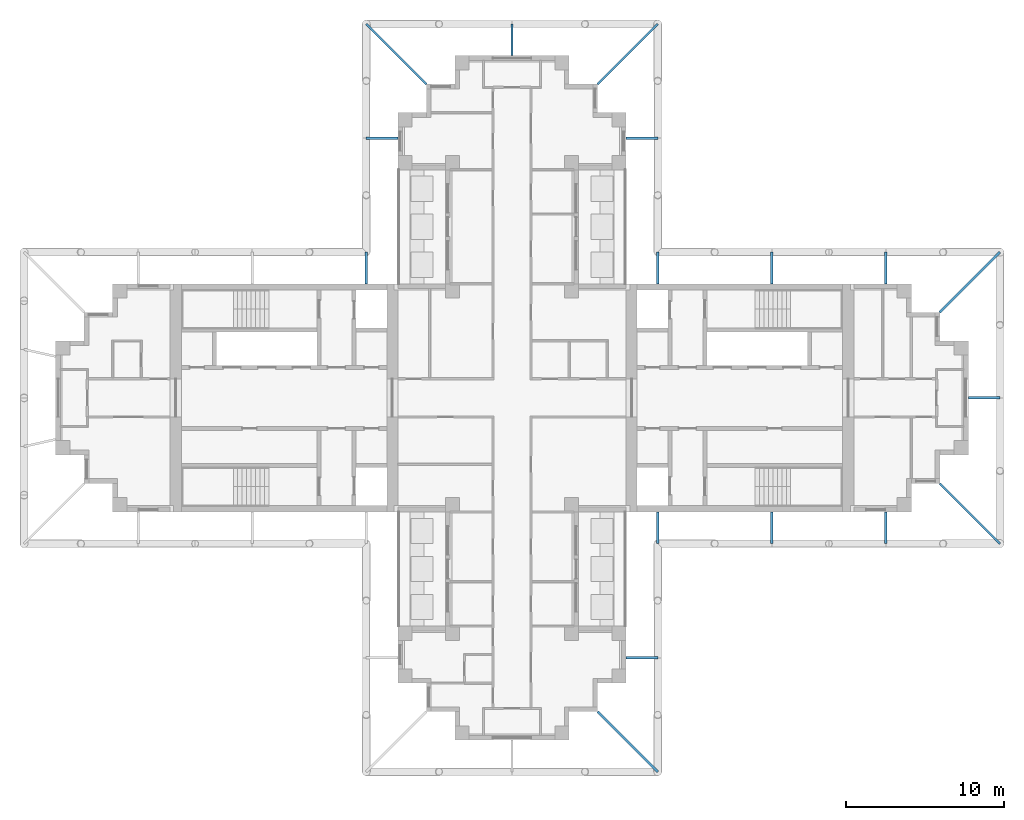
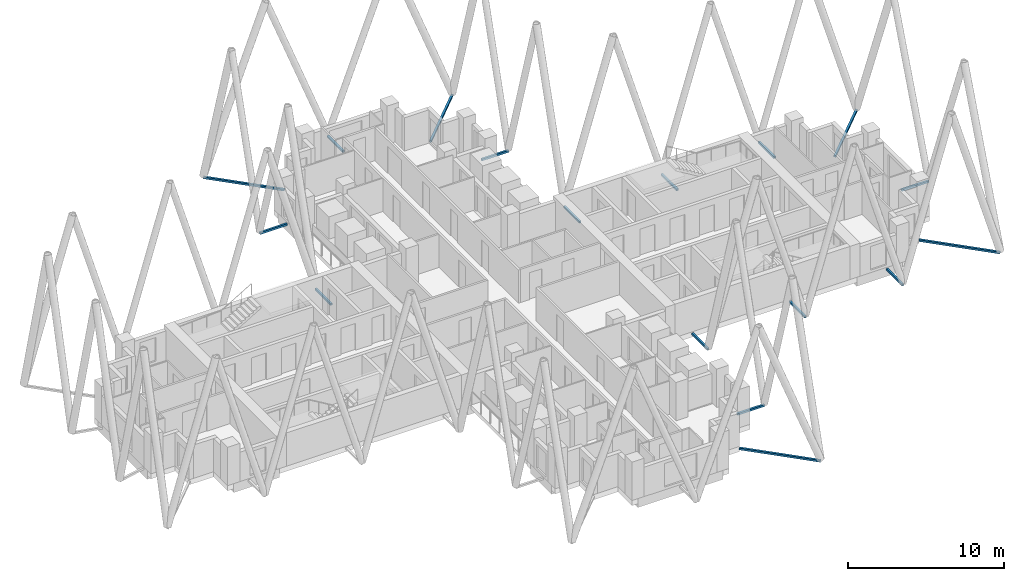
# One storey, part 9 of 11: 17 discrete accessories.
"""IFC4 building model written with IfcOpenShell, lengths in metres."""

from ifc_helpers import new_model, si_unit, direction, frame, origin, origin_2d, place, context, subcontext, project, spatial, hollow_rectangle, extrude, material, element, save


model = new_model("IFC4")

# Units and contexts
model_context = context("Model", 3, precision=1e-05, world=origin(), true_north=direction((0.0, 1.0)))
body_context = subcontext(model_context, "Body", "Model", "MODEL_VIEW")
ifc_project = project(units=[si_unit("LENGTHUNIT", "METRE"), si_unit("AREAUNIT", "SQUARE_METRE"), si_unit("VOLUMEUNIT", "CUBIC_METRE"), si_unit("PLANEANGLEUNIT", "RADIAN"), si_unit("MASSUNIT", "GRAM", prefix="KILO")], contexts=[model_context])

# Site, building, storey
site_placement = place(None, origin())
site = spatial("IfcSite", under=ifc_project, at=site_placement, CompositionType="ELEMENT")
building_placement = place(site_placement, origin())
building = spatial("IfcBuilding", under=site, at=building_placement, Name="Fustian Cross Tower", CompositionType="ELEMENT")
storey_placement = place(building_placement, frame((0.0, 0.0, 222.89990234375)))
storey = spatial("IfcBuildingStorey", under=building, at=storey_placement, Name="L70", CompositionType="ELEMENT", Elevation=222.89990234375)

# Discrete accessories
ifc_material = material(Name="Steel S355", Category="steel")
discrete_accessory_1_placement = place(storey_placement, frame((30.800048828125, 0.0, -0.14990234375), z_axis=(-1.0, 0.0, 0.0), x_axis=(0.0, -1.0, 0.0)))
element("IfcDiscreteAccessory", 1, at=discrete_accessory_1_placement, inside=storey, material=ifc_material, Name="Diagrid node bracket L70-01", PredefinedType="BRACKET", context=body_context, shape_type="SweptSolid", body=[
    extrude(hollow_rectangle(XDim=0.14990234375, YDim=0.14990234375, WallThickness=0.010009765625, at=origin_2d()), origin(), (0.0, 0.0, 1.0), 2.0),
])
discrete_accessory_2_placement = place(storey_placement, frame((30.800048828125, 9.199951171875, -0.14990234375), z_axis=(-0.707106781187, -0.707106781187, 0.0), x_axis=(0.707106781187, -0.707106781187, 0.0)))
element("IfcDiscreteAccessory", 2, at=discrete_accessory_2_placement, inside=storey, material=ifc_material, Name="Diagrid node bracket L70-02", PredefinedType="BRACKET", context=body_context, shape_type="SweptSolid", body=[
    extrude(hollow_rectangle(XDim=0.14990234375, YDim=0.14990234375, WallThickness=0.010009765625, at=origin_2d()), origin(), (0.0, 0.0, 1.0), 5.3740234375),
])
for number, where, z_axis, x_axis, name in (
    (3, (23.60009765625, 9.199951171875, -0.14990234375), (0.0, -1.0, 0.0), (1.0, 0.0, 0.0), "Diagrid node bracket L70-03"),
    (4, (16.39990234375, 9.199951171875, -0.14990234375), (0.0, -1.0, 0.0), (1.0, 0.0, 0.0), "Diagrid node bracket L70-04"),
    (5, (9.199951171875, 9.199951171875, -0.14990234375), (0.0, -1.0, 0.0), (1.0, 0.0, 0.0), "Diagrid node bracket L70-05"),
    (6, (9.199951171875, 16.39990234375, -0.14990234375), (-1.0, 0.0, 0.0), (0.0, -1.0, 0.0), "Diagrid node bracket L70-06"),
):
    element("IfcDiscreteAccessory", number, at=place(storey_placement, frame(where, z_axis=z_axis, x_axis=x_axis)), inside=storey, material=ifc_material, Name=name, PredefinedType="BRACKET", context=body_context, shape_type="SweptSolid", body=[
        extrude(hollow_rectangle(XDim=0.14990234375, YDim=0.14990234375, WallThickness=0.010009765625, at=origin_2d()), origin(), (0.0, 0.0, 1.0), 2.0),
    ])
discrete_accessory_3_placement = place(storey_placement, frame((9.199951171875, 23.60009765625, -0.14990234375), z_axis=(-0.707106781187, -0.707106781187, 0.0), x_axis=(0.707106781187, -0.707106781187, 0.0)))
element("IfcDiscreteAccessory", 7, at=discrete_accessory_3_placement, inside=storey, material=ifc_material, Name="Diagrid node bracket L70-07", PredefinedType="BRACKET", context=body_context, shape_type="SweptSolid", body=[
    extrude(hollow_rectangle(XDim=0.14990234375, YDim=0.14990234375, WallThickness=0.010009765625, at=origin_2d()), origin(), (0.0, 0.0, 1.0), 5.3740234375),
])
discrete_accessory_4_placement = place(storey_placement, frame((0.0, 23.60009765625, -0.14990234375), z_axis=(0.0, -1.0, 0.0), x_axis=(1.0, 0.0, 0.0)))
element("IfcDiscreteAccessory", 8, at=discrete_accessory_4_placement, inside=storey, material=ifc_material, Name="Diagrid node bracket L70-08", PredefinedType="BRACKET", context=body_context, shape_type="SweptSolid", body=[
    extrude(hollow_rectangle(XDim=0.14990234375, YDim=0.14990234375, WallThickness=0.010009765625, at=origin_2d()), origin(), (0.0, 0.0, 1.0), 2.0),
])
discrete_accessory_5_placement = place(storey_placement, frame((-9.199951171875, 23.60009765625, -0.14990234375), z_axis=(0.707106781187, -0.707106781187, 0.0), x_axis=(0.707106781187, 0.707106781187, 0.0)))
element("IfcDiscreteAccessory", 9, at=discrete_accessory_5_placement, inside=storey, material=ifc_material, Name="Diagrid node bracket L70-09", PredefinedType="BRACKET", context=body_context, shape_type="SweptSolid", body=[
    extrude(hollow_rectangle(XDim=0.14990234375, YDim=0.14990234375, WallThickness=0.010009765625, at=origin_2d()), origin(), (0.0, 0.0, 1.0), 5.3740234375),
])
for number, where, z_axis, x_axis, name in (
    (10, (-9.199951171875, 16.39990234375, -0.14990234375), (1.0, 0.0, 0.0), (0.0, 1.0, 0.0), "Diagrid node bracket L70-10"),
    (11, (-9.199951171875, 9.199951171875, -0.14990234375), (0.0, -1.0, 0.0), (1.0, 0.0, 0.0), "Diagrid node bracket L70-11"),
):
    element("IfcDiscreteAccessory", number, at=place(storey_placement, frame(where, z_axis=z_axis, x_axis=x_axis)), inside=storey, material=ifc_material, Name=name, PredefinedType="BRACKET", context=body_context, shape_type="SweptSolid", body=[
        extrude(hollow_rectangle(XDim=0.14990234375, YDim=0.14990234375, WallThickness=0.010009765625, at=origin_2d()), origin(), (0.0, 0.0, 1.0), 2.0),
    ])
discrete_accessory_6_placement = place(storey_placement, frame((9.199951171875, -23.60009765625, -0.14990234375), z_axis=(-0.707106781187, 0.707106781187, 0.0), x_axis=(-0.707106781187, -0.707106781187, 0.0)))
element("IfcDiscreteAccessory", 12, at=discrete_accessory_6_placement, inside=storey, material=ifc_material, Name="Diagrid node bracket L70-24", PredefinedType="BRACKET", context=body_context, shape_type="SweptSolid", body=[
    extrude(hollow_rectangle(XDim=0.14990234375, YDim=0.14990234375, WallThickness=0.010009765625, at=origin_2d()), origin(), (0.0, 0.0, 1.0), 5.3740234375),
])
for number, where, z_axis, x_axis, name in (
    (13, (9.199951171875, -16.39990234375, -0.14990234375), (-1.0, 0.0, 0.0), (0.0, -1.0, 0.0), "Diagrid node bracket L70-25"),
    (14, (9.199951171875, -9.199951171875, -0.14990234375), (0.0, 1.0, 0.0), (-1.0, 0.0, 0.0), "Diagrid node bracket L70-26"),
    (15, (16.39990234375, -9.199951171875, -0.14990234375), (0.0, 1.0, 0.0), (-1.0, 0.0, 0.0), "Diagrid node bracket L70-27"),
    (16, (23.60009765625, -9.199951171875, -0.14990234375), (0.0, 1.0, 0.0), (-1.0, 0.0, 0.0), "Diagrid node bracket L70-28"),
):
    element("IfcDiscreteAccessory", number, at=place(storey_placement, frame(where, z_axis=z_axis, x_axis=x_axis)), inside=storey, material=ifc_material, Name=name, PredefinedType="BRACKET", context=body_context, shape_type="SweptSolid", body=[
        extrude(hollow_rectangle(XDim=0.14990234375, YDim=0.14990234375, WallThickness=0.010009765625, at=origin_2d()), origin(), (0.0, 0.0, 1.0), 2.0),
    ])
discrete_accessory_7_placement = place(storey_placement, frame((30.800048828125, -9.199951171875, -0.14990234375), z_axis=(-0.707106781187, 0.707106781187, 0.0), x_axis=(-0.707106781187, -0.707106781187, 0.0)))
element("IfcDiscreteAccessory", 17, at=discrete_accessory_7_placement, inside=storey, material=ifc_material, Name="Diagrid node bracket L70-29", PredefinedType="BRACKET", context=body_context, shape_type="SweptSolid", body=[
    extrude(hollow_rectangle(XDim=0.14990234375, YDim=0.14990234375, WallThickness=0.010009765625, at=origin_2d()), origin(), (0.0, 0.0, 1.0), 5.3740234375),
])

save(model, "model.ifc")
